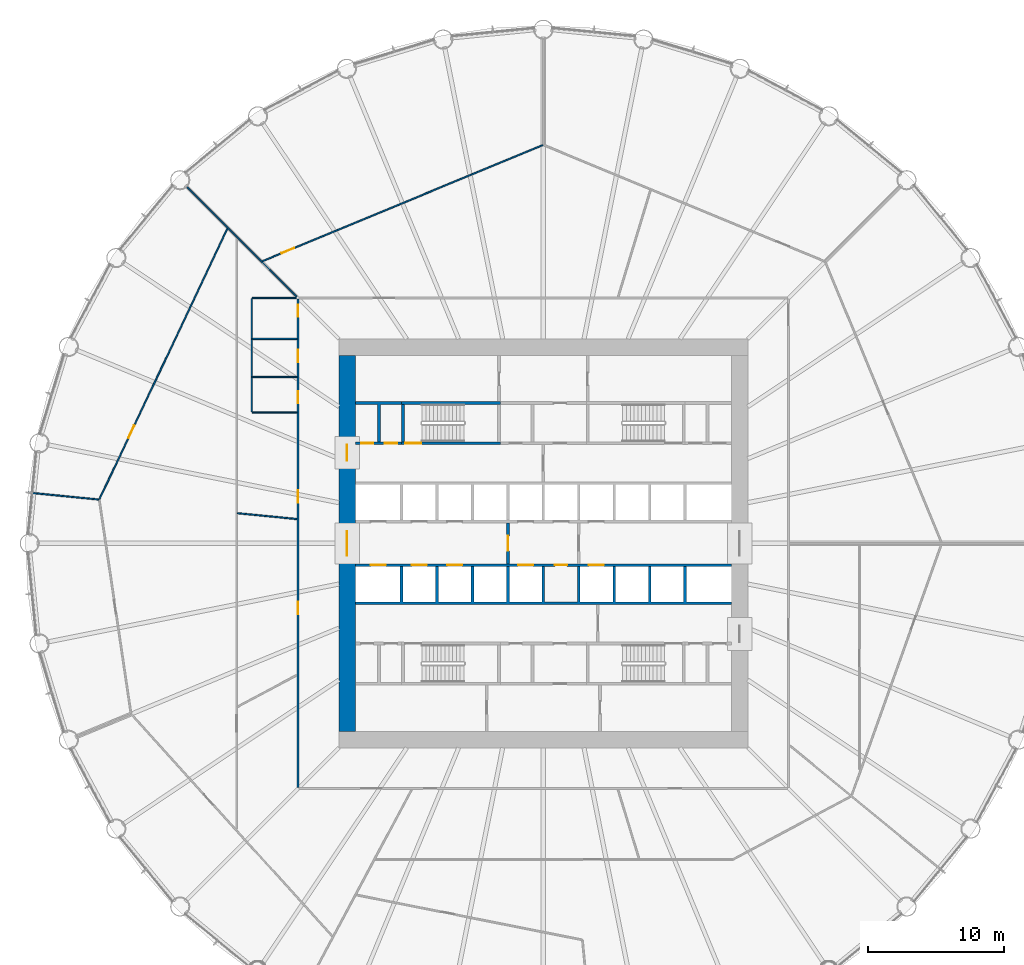
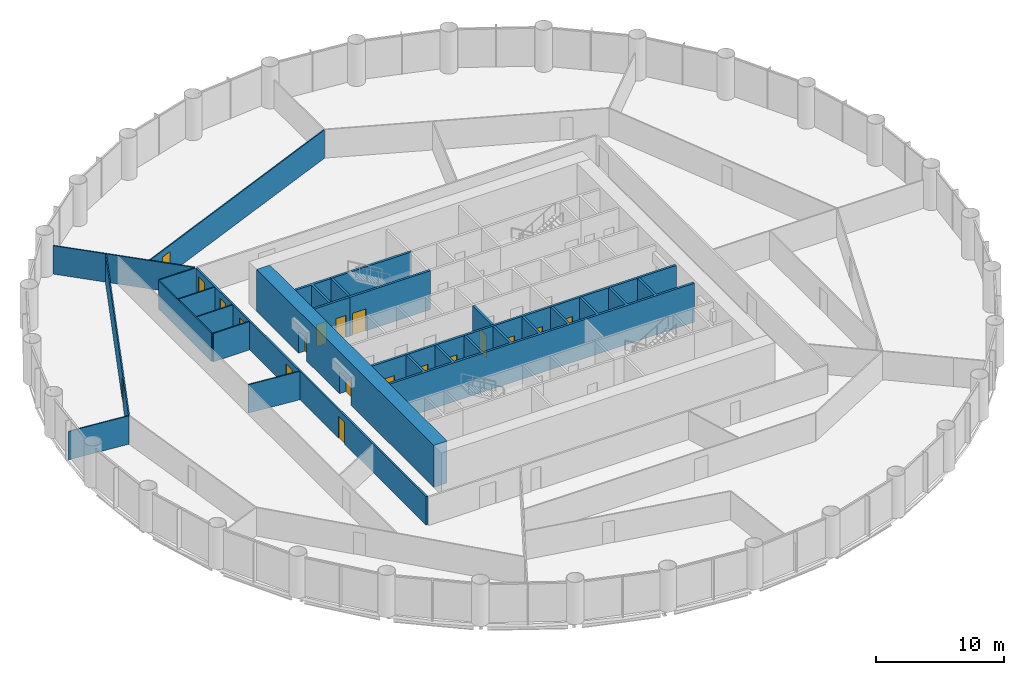
# One storey, part 12 of 15: 20 walls, 19 doors, 19 openings.
"""IFC4 building model written with IfcOpenShell, lengths in metres."""

import ifcopenshell
import ifcopenshell.guid

model = None  # the IFC model being written
_history = None  # IfcOwnerHistory: only IFC2X3 demands one
_inside = {}  # id of a spatial element -> (the spatial element, [elements in it])
_under = {}  # id of a project, library or spatial element -> (it, [spatial elements below it])
_declared = {}  # id of a project -> (the project, [libraries it declares])
_typed = {}  # id of a type object -> (the type object, [elements of that type])
_made_of = {}  # id of a material, layer set ... -> (it, [elements and type objects made of it])


def new_model(schema):
    """Start an empty IFC model of exactly this schema.

    Asked for "IFC4X3", IfcOpenShell would pick the latest addendum, in which some entities
    have other attributes; the version numbers below select the first issue.
    IFC2X3 requires an IfcOwnerHistory on every rooted entity: one is made here for all.
    """
    global model, _history
    if schema == "IFC4X3":
        model = ifcopenshell.file(schema_version=(4, 3, 0, 0))
    else:
        model = ifcopenshell.file(schema=schema)
    _inside.clear()
    _under.clear()
    _declared.clear()
    _typed.clear()
    _made_of.clear()
    _history = None
    if model.schema == "IFC2X3":
        org = make("IfcOrganization", Name="unknown")
        user = make(
            "IfcPersonAndOrganization",
            ThePerson=make("IfcPerson", FamilyName="unknown"),
            TheOrganization=org,
        )
        app = make(
            "IfcApplication",
            ApplicationDeveloper=org,
            Version="unknown",
            ApplicationFullName="unknown",
            ApplicationIdentifier="unknown",
        )
        _history = make(
            "IfcOwnerHistory",
            OwningUser=user,
            OwningApplication=app,
            ChangeAction="ADDED",
            CreationDate=0,
        )
    return model


def make(cls, **values):
    """One entity of the class cls with the attributes given. An attribute that is None is left unset."""
    return model.create_entity(
        cls, **{name: value for name, value in values.items() if value is not None}
    )


def rooted(cls, **values):
    """An entity with a GlobalId (a new one), such as an element, a storey or a relation."""
    return make(cls, GlobalId=ifcopenshell.guid.new(), OwnerHistory=_history, **values)


def si_unit(unit_type, name, prefix=None):
    """IfcSIUnit, for example si_unit("LENGTHUNIT", "METRE", prefix="MILLI")."""
    return make("IfcSIUnit", UnitType=unit_type, Prefix=prefix, Name=name)


def assignment(units):
    """IfcUnitAssignment: the units of a project."""
    return None if units is None else make("IfcUnitAssignment", Units=units)


def point(xyz):
    """IfcCartesianPoint."""
    return None if xyz is None else make("IfcCartesianPoint", Coordinates=xyz)


def direction(xyz):
    """IfcDirection."""
    return None if xyz is None else make("IfcDirection", DirectionRatios=xyz)


def frame(location, z_axis=None, x_axis=None):
    """IfcAxis2Placement3D, a coordinate frame: its origin and axes. An axis left out is left unset."""
    return make(
        "IfcAxis2Placement3D",
        Location=point(location),
        Axis=direction(z_axis),
        RefDirection=direction(x_axis),
    )


def frame_2d(location, x_axis=None):
    """IfcAxis2Placement2D, a coordinate frame in the plane: its origin and x axis."""
    return make(
        "IfcAxis2Placement2D", Location=point(location), RefDirection=direction(x_axis)
    )


def origin():
    """The frame at (0, 0, 0) with its axes left unset."""
    return frame((0.0, 0.0, 0.0))


def place(relative_to, where):
    """IfcLocalPlacement: puts the frame where relative to a parent placement (None: the world)."""
    return make(
        "IfcLocalPlacement", PlacementRelTo=relative_to, RelativePlacement=where
    )


def context(
    kind, dimensions, precision=None, world=None, true_north=None, identifier=None
):
    """IfcGeometricRepresentationContext, for example the 3D "Model" context."""
    return make(
        "IfcGeometricRepresentationContext",
        ContextIdentifier=identifier,
        ContextType=kind,
        CoordinateSpaceDimension=dimensions,
        Precision=precision,
        WorldCoordinateSystem=world,
        TrueNorth=true_north,
    )


def subcontext(parent, identifier, kind, view, scale=None):
    """IfcGeometricRepresentationSubContext, for example "Body" below "Model"."""
    return make(
        "IfcGeometricRepresentationSubContext",
        ContextIdentifier=identifier,
        ContextType=kind,
        ParentContext=parent,
        TargetScale=scale,
        TargetView=view,
    )


def project(units=None, contexts=None):
    """IfcProject with its units and contexts."""
    return rooted(
        "IfcProject",
        Name="project",
        RepresentationContexts=contexts,
        UnitsInContext=assignment(units),
    )


def spatial(cls, under=None, at=None, **own):
    """A site, building, storey or space (cls), placed at a placement, below another one or the project."""
    s = rooted(cls, ObjectPlacement=at, **own)
    if under is not None:
        _under.setdefault(under.id(), (under, []))[1].append(s)
    return s


def polyline(points):
    """IfcPolyline through the points."""
    return make("IfcPolyline", Points=[point(p) for p in points])


def profile(cls, at=None, kind="AREA", **sizes):
    """A parametric profile (cls). Its sizes go by their IFC names, for example OverallWidth=200.0."""
    return make(cls, ProfileType=kind, Position=at, **sizes)


def rectangle(**sizes):
    """IfcRectangleProfileDef."""
    return profile("IfcRectangleProfileDef", **sizes)


def outline(outer, holes=None, kind="AREA"):
    """IfcArbitraryClosedProfileDef: a profile drawn as a closed curve; with holes, ...WithVoids."""
    if holes is None:
        return make("IfcArbitraryClosedProfileDef", ProfileType=kind, OuterCurve=outer)
    return make(
        "IfcArbitraryProfileDefWithVoids",
        ProfileType=kind,
        OuterCurve=outer,
        InnerCurves=holes,
    )


def extrude(swept, where, along, depth):
    """IfcExtrudedAreaSolid: the profile swept, set in the frame where, extruded along a direction by depth."""
    return make(
        "IfcExtrudedAreaSolid",
        SweptArea=swept,
        Position=where,
        ExtrudedDirection=direction(along),
        Depth=depth,
    )


def shape(context_of_items, identifier, shape_type, items):
    """IfcShapeRepresentation: the items that make up one representation, for example the "Body"."""
    return make(
        "IfcShapeRepresentation",
        ContextOfItems=context_of_items,
        RepresentationIdentifier=identifier,
        RepresentationType=shape_type,
        Items=items,
    )


def material(Name=None, Category=None):
    """IfcMaterial."""
    return make("IfcMaterial", Name=Name, Category=Category)


def layer(
    of_material, thickness, ventilated=None, Name=None, Category=None, Priority=None
):
    """IfcMaterialLayer: one layer of a wall or slab, of a material (None: an air gap)."""
    return make(
        "IfcMaterialLayer",
        Material=of_material,
        LayerThickness=thickness,
        IsVentilated=ventilated,
        Name=Name,
        Category=Category,
        Priority=Priority,
    )


def layer_set(layers, Name=None):
    """IfcMaterialLayerSet."""
    return make("IfcMaterialLayerSet", MaterialLayers=layers, LayerSetName=Name)


def made_of(thing, what):
    """Note that an element or type object is made of a material, layer set ...; save() writes the relation."""
    if what is not None:
        _made_of.setdefault(what.id(), (what, []))[1].append(thing)
    return thing


def type_object(cls, material=None, **own):
    """A type object (cls), such as IfcWallType, which elements share."""
    return made_of(rooted(cls, **own), material)


def element(
    cls,
    number,
    at=None,
    inside=None,
    cuts=None,
    type_object=None,
    material=None,
    context=None,
    identifier="Body",
    shape_type=None,
    held_by="IfcProductDefinitionShape",
    body=None,
    shapes=None,
    **own,
):
    """One element of the class cls, such as IfcWall. Its Tag is "e" and its number.

    at: its placement. inside: the storey or other place that contains it. cuts: it is an
    opening in that element (IfcRelVoidsElement). A single representation is given by context,
    identifier, shape_type and body (its items); several are given by shapes. held_by: the class
    of the entity that holds the representations. save() writes the other relations.
    """
    e = rooted(cls, Tag="e%d" % number, ObjectPlacement=at, **own)
    if body is not None:
        shapes = [shape(context, identifier, shape_type, body)]
    if shapes is not None:
        e.Representation = make(held_by, Representations=shapes)
    if inside is not None:
        _inside.setdefault(inside.id(), (inside, []))[1].append(e)
    if cuts is not None:
        rooted(
            "IfcRelVoidsElement", RelatingBuildingElement=cuts, RelatedOpeningElement=e
        )
    if type_object is not None:
        _typed.setdefault(type_object.id(), (type_object, []))[1].append(e)
    return made_of(e, material)


def fill(opening, filler):
    """IfcRelFillsElement: the door or window that sits in an opening."""
    return rooted(
        "IfcRelFillsElement",
        RelatingOpeningElement=opening,
        RelatedBuildingElement=filler,
    )


def aggregate(whole, parts):
    """IfcRelAggregates: a whole, such as a stair, and the parts it consists of."""
    return rooted("IfcRelAggregates", RelatingObject=whole, RelatedObjects=parts)


def save(model, path):
    """Write the relations noted so far, then the file.

    IfcRelAggregates (storeys below a building ...), IfcRelContainedInSpatialStructure (elements
    in a storey), IfcRelDefinesByType, IfcRelAssociatesMaterial and IfcRelDeclares: one each for
    every whole, place, type object, material and project.
    """
    for whole, parts in _under.values():
        aggregate(whole, parts)
    for where, things in _inside.values():
        rooted(
            "IfcRelContainedInSpatialStructure",
            RelatedElements=things,
            RelatingStructure=where,
        )
    for kind, things in _typed.values():
        rooted("IfcRelDefinesByType", RelatedObjects=things, RelatingType=kind)
    for what, things in _made_of.values():
        rooted("IfcRelAssociatesMaterial", RelatedObjects=things, RelatingMaterial=what)
    for by, libraries in _declared.values():
        rooted("IfcRelDeclares", RelatingContext=by, RelatedDefinitions=libraries)
    model.write(path)


model = new_model("IFC4")

# Units and contexts
model_context = context("Model", 3, precision=1e-05, world=origin(), true_north=direction((0.0, 1.0)))
body_context = subcontext(model_context, "Body", "Model", "MODEL_VIEW")
ifc_project = project(units=[si_unit("LENGTHUNIT", "METRE"), si_unit("AREAUNIT", "SQUARE_METRE"), si_unit("VOLUMEUNIT", "CUBIC_METRE"), si_unit("PLANEANGLEUNIT", "RADIAN"), si_unit("MASSUNIT", "GRAM", prefix="KILO")], contexts=[model_context])

# Site, building, storey
site_placement = place(None, origin())
site = spatial("IfcSite", under=ifc_project, at=site_placement, CompositionType="ELEMENT")
building_placement = place(site_placement, origin())
building = spatial("IfcBuilding", under=site, at=building_placement, Name="Corvane Civic Tower", CompositionType="ELEMENT")
storey_placement = place(building_placement, frame((0.0, 0.0, 61.0)))
storey = spatial("IfcBuildingStorey", under=building, at=storey_placement, Name="L13", CompositionType="ELEMENT", Elevation=61.0)

# Wall, openings, doors
ifc_material_1 = material(Name="Concrete C80/95", Category="concrete")
ifc_layer_1 = layer(ifc_material_1, 1.199951171875)
ifc_layer_set_1 = layer_set([ifc_layer_1], Name="Concrete C80/95")
wall_type_1 = type_object("IfcWallType", Name="CORE WALL 1200 C80/95", PredefinedType="SHEAR", material=ifc_layer_set_1)
wall_1_placement = place(storey_placement, frame((-14.39990234375, -13.800048828125, 0.0), z_axis=(0.0, 0.0, 1.0), x_axis=(0.0, 1.0, 0.0)))
wall_1 = element("IfcWall", 1, at=wall_1_placement, inside=storey, type_object=wall_type_1, Name="W-L13-core-W", PredefinedType="SHEAR", context=body_context, shape_type="SweptSolid", body=[
    extrude(rectangle(XDim=27.60009765625, YDim=1.199951171875, at=frame_2d((13.800048828125, 0.0))), origin(), (0.0, 0.0, 1.0), 4.0),
])
opening_1_placement = place(wall_1_placement, frame((12.89990234375, 0.0, 0.0)))
opening_1 = element("IfcOpeningElement", 2, at=opening_1_placement, cuts=wall_1, Name="Opening L13.C28", PredefinedType="OPENING", context=body_context, shape_type="SweptSolid", body=[
    extrude(rectangle(XDim=1.800048828125, YDim=2.10009765625, at=frame_2d((0.89990234375, 1.050048828125))), frame((0.0, 0.60986328125, 0.0), z_axis=(0.0, -1.0, 0.0), x_axis=(1.0, 0.0, 0.0)), (0.0, 0.0, 1.0), 1.219970703125),
])
opening_2_placement = place(wall_1_placement, frame((19.85009765625, 0.0, 0.0)))
opening_2 = element("IfcOpeningElement", 3, at=opening_2_placement, cuts=wall_1, Name="Opening L13.C30", PredefinedType="OPENING", context=body_context, shape_type="SweptSolid", body=[
    extrude(rectangle(XDim=1.199951171875, YDim=2.10009765625, at=frame_2d((0.60009765625, 1.050048828125))), frame((0.0, 0.60986328125, 0.0), z_axis=(0.0, -1.0, 0.0), x_axis=(1.0, 0.0, 0.0)), (0.0, 0.0, 1.0), 1.219970703125),
])
ifc_material_2 = material(Name="Steel fire door leaf", Category="steel")
door_type_1 = type_object("IfcDoorType", Name="CR-DOOR-CORE-1800", OperationType="DOUBLE_DOOR_SINGLE_SWING", PredefinedType="DOOR", material=ifc_material_2)
door_1_placement = place(opening_1_placement, origin())
door_1 = element("IfcDoor", 4, at=door_1_placement, inside=storey, type_object=door_type_1, Name="L13 door", OperationType="DOUBLE_DOOR_SINGLE_SWING", OverallHeight=2.10009765625, OverallWidth=1.800048828125, PredefinedType="DOOR", context=body_context, shape_type="SweptSolid", body=[
    extrude(rectangle(XDim=1.800048828125, YDim=2.10009765625, at=frame_2d((0.89990234375, 1.050048828125))), frame((0.0, 0.02490234375, 0.0), z_axis=(0.0, -1.0, 0.0), x_axis=(1.0, 0.0, 0.0)), (0.0, 0.0, 1.0), 0.050048828125),
])
fill(opening_1, door_1)
door_2_placement = place(opening_2_placement, origin())
door_2 = element("IfcDoor", 5, at=door_2_placement, inside=storey, type_object=door_type_1, Name="L13 door", OperationType="DOUBLE_DOOR_SINGLE_SWING", OverallHeight=2.10009765625, OverallWidth=1.199951171875, PredefinedType="DOOR", context=body_context, shape_type="SweptSolid", body=[
    extrude(rectangle(XDim=1.199951171875, YDim=2.10009765625, at=frame_2d((0.60009765625, 1.050048828125))), frame((0.0, 0.02490234375, 0.0), z_axis=(0.0, -1.0, 0.0), x_axis=(1.0, 0.0, 0.0)), (0.0, 0.0, 1.0), 0.050048828125),
])
fill(opening_2, door_2)

ifc_material_3 = material(Name="Concrete C30/37", Category="concrete")
ifc_layer_2 = layer(ifc_material_3, 0.199951171875)
ifc_layer_set_2 = layer_set([ifc_layer_2], Name="Concrete C30/37")
wall_type_2 = type_object("IfcWallType", Name="CR-WALL-200", PredefinedType="PARTITIONING", material=ifc_layer_set_2)
wall_2_placement = place(storey_placement, frame((-13.800048828125, -1.60009765625, 0.0), z_axis=(0.0, 0.0, 1.0), x_axis=(1.0, 0.0, 0.0)))
wall_2 = element("IfcWall", 6, at=wall_2_placement, inside=storey, type_object=wall_type_2, Name="L13 lift shaft wall", PredefinedType="PARTITIONING", context=body_context, shape_type="SweptSolid", body=[
    extrude(rectangle(XDim=27.60009765625, YDim=0.199951171875, at=frame_2d((13.800048828125, 0.0))), origin(), (0.0, 0.0, 1.0), 3.699951171875),
])
opening_3_placement = place(wall_2_placement, frame((1.14990234375, 0.0, 0.0)))
opening_3 = element("IfcOpeningElement", 7, at=opening_3_placement, cuts=wall_2, Name="Opening LD", PredefinedType="OPENING", context=body_context, shape_type="SweptSolid", body=[
    extrude(rectangle(XDim=1.10009765625, YDim=2.10009765625, at=frame_2d((0.550048828125, 1.050048828125))), frame((0.0, 0.10986328125, 0.0), z_axis=(0.0, -1.0, 0.0), x_axis=(1.0, 0.0, 0.0)), (0.0, 0.0, 1.0), 0.219970703125),
])
opening_4_placement = place(wall_2_placement, frame((4.14990234375, 0.0, 0.0)))
opening_4 = element("IfcOpeningElement", 8, at=opening_4_placement, cuts=wall_2, Name="Opening LD", PredefinedType="OPENING", context=body_context, shape_type="SweptSolid", body=[
    extrude(rectangle(XDim=1.10009765625, YDim=2.10009765625, at=frame_2d((0.550048828125, 1.050048828125))), frame((0.0, 0.10986328125, 0.0), z_axis=(0.0, -1.0, 0.0), x_axis=(1.0, 0.0, 0.0)), (0.0, 0.0, 1.0), 0.219970703125),
])
opening_5_placement = place(wall_2_placement, frame((6.75, 0.0, 0.0)))
opening_5 = element("IfcOpeningElement", 9, at=opening_5_placement, cuts=wall_2, Name="Opening LD", PredefinedType="OPENING", context=body_context, shape_type="SweptSolid", body=[
    extrude(rectangle(XDim=1.10009765625, YDim=2.10009765625, at=frame_2d((0.550048828125, 1.050048828125))), frame((0.0, 0.10986328125, 0.0), z_axis=(0.0, -1.0, 0.0), x_axis=(1.0, 0.0, 0.0)), (0.0, 0.0, 1.0), 0.219970703125),
])
opening_6_placement = place(wall_2_placement, frame((11.949951171875, 0.0, 0.0)))
opening_6 = element("IfcOpeningElement", 10, at=opening_6_placement, cuts=wall_2, Name="Opening LD", PredefinedType="OPENING", context=body_context, shape_type="SweptSolid", body=[
    extrude(rectangle(XDim=1.10009765625, YDim=2.10009765625, at=frame_2d((0.550048828125, 1.050048828125))), frame((0.0, 0.10986328125, 0.0), z_axis=(0.0, -1.0, 0.0), x_axis=(1.0, 0.0, 0.0)), (0.0, 0.0, 1.0), 0.219970703125),
])
opening_7_placement = place(wall_2_placement, frame((14.64990234375, 0.0, 0.0)))
opening_7 = element("IfcOpeningElement", 11, at=opening_7_placement, cuts=wall_2, Name="Opening L13.C01", PredefinedType="OPENING", context=body_context, shape_type="SweptSolid", body=[
    extrude(rectangle(XDim=0.89990234375, YDim=2.10009765625, at=frame_2d((0.449951171875, 1.050048828125))), frame((0.0, 0.10986328125, 0.0), z_axis=(0.0, -1.0, 0.0), x_axis=(1.0, 0.0, 0.0)), (0.0, 0.0, 1.0), 0.219970703125),
])
opening_8_placement = place(wall_2_placement, frame((17.14990234375, 0.0, 0.0)))
opening_8 = element("IfcOpeningElement", 12, at=opening_8_placement, cuts=wall_2, Name="Opening LD", PredefinedType="OPENING", context=body_context, shape_type="SweptSolid", body=[
    extrude(rectangle(XDim=1.10009765625, YDim=2.10009765625, at=frame_2d((0.550048828125, 1.050048828125))), frame((0.0, 0.10986328125, 0.0), z_axis=(0.0, -1.0, 0.0), x_axis=(1.0, 0.0, 0.0)), (0.0, 0.0, 1.0), 0.219970703125),
])
ifc_material_4 = material(Name="Steel fire door leaf", Category="steel")
door_type_2 = type_object("IfcDoorType", Name="CR-DOOR-900", OperationType="SINGLE_SWING_LEFT", PredefinedType="DOOR", material=ifc_material_4)
door_3_placement = place(opening_7_placement, origin())
door_3 = element("IfcDoor", 13, at=door_3_placement, inside=storey, type_object=door_type_2, Name="L13 door", OperationType="SINGLE_SWING_LEFT", OverallHeight=2.10009765625, OverallWidth=0.89990234375, PredefinedType="DOOR", context=body_context, shape_type="SweptSolid", body=[
    extrude(rectangle(XDim=0.89990234375, YDim=2.10009765625, at=frame_2d((0.449951171875, 1.050048828125))), frame((0.0, 0.02490234375, 0.0), z_axis=(0.0, -1.0, 0.0), x_axis=(1.0, 0.0, 0.0)), (0.0, 0.0, 1.0), 0.050048828125),
])
fill(opening_7, door_3)
ifc_material_5 = material(Name="Stainless steel 316 door leaves", Category="steel")
door_type_3 = type_object("IfcDoorType", Name="LD", OperationType="DOUBLE_DOOR_SLIDING", PredefinedType="DOOR", material=ifc_material_5)
door_4_placement = place(opening_3_placement, origin())
door_4 = element("IfcDoor", 14, at=door_4_placement, inside=storey, type_object=door_type_3, Name="L13 landing door", OperationType="DOUBLE_DOOR_SLIDING", OverallHeight=2.10009765625, OverallWidth=1.10009765625, PredefinedType="DOOR", context=body_context, shape_type="SweptSolid", body=[
    extrude(rectangle(XDim=1.10009765625, YDim=2.10009765625, at=frame_2d((0.550048828125, 1.050048828125))), frame((0.0, 0.02490234375, 0.0), z_axis=(0.0, -1.0, 0.0), x_axis=(1.0, 0.0, 0.0)), (0.0, 0.0, 1.0), 0.050048828125),
])
fill(opening_3, door_4)
door_5_placement = place(opening_4_placement, origin())
door_5 = element("IfcDoor", 15, at=door_5_placement, inside=storey, type_object=door_type_3, Name="L13 landing door", OperationType="DOUBLE_DOOR_SLIDING", OverallHeight=2.10009765625, OverallWidth=1.10009765625, PredefinedType="DOOR", context=body_context, shape_type="SweptSolid", body=[
    extrude(rectangle(XDim=1.10009765625, YDim=2.10009765625, at=frame_2d((0.550048828125, 1.050048828125))), frame((0.0, 0.02490234375, 0.0), z_axis=(0.0, -1.0, 0.0), x_axis=(1.0, 0.0, 0.0)), (0.0, 0.0, 1.0), 0.050048828125),
])
fill(opening_4, door_5)
door_6_placement = place(opening_5_placement, origin())
door_6 = element("IfcDoor", 16, at=door_6_placement, inside=storey, type_object=door_type_3, Name="L13 landing door", OperationType="DOUBLE_DOOR_SLIDING", OverallHeight=2.10009765625, OverallWidth=1.10009765625, PredefinedType="DOOR", context=body_context, shape_type="SweptSolid", body=[
    extrude(rectangle(XDim=1.10009765625, YDim=2.10009765625, at=frame_2d((0.550048828125, 1.050048828125))), frame((0.0, 0.02490234375, 0.0), z_axis=(0.0, -1.0, 0.0), x_axis=(1.0, 0.0, 0.0)), (0.0, 0.0, 1.0), 0.050048828125),
])
fill(opening_5, door_6)
door_7_placement = place(opening_6_placement, origin())
door_7 = element("IfcDoor", 17, at=door_7_placement, inside=storey, type_object=door_type_3, Name="L13 landing door", OperationType="DOUBLE_DOOR_SLIDING", OverallHeight=2.10009765625, OverallWidth=1.10009765625, PredefinedType="DOOR", context=body_context, shape_type="SweptSolid", body=[
    extrude(rectangle(XDim=1.10009765625, YDim=2.10009765625, at=frame_2d((0.550048828125, 1.050048828125))), frame((0.0, 0.02490234375, 0.0), z_axis=(0.0, -1.0, 0.0), x_axis=(1.0, 0.0, 0.0)), (0.0, 0.0, 1.0), 0.050048828125),
])
fill(opening_6, door_7)
door_8_placement = place(opening_8_placement, origin())
door_8 = element("IfcDoor", 18, at=door_8_placement, inside=storey, type_object=door_type_3, Name="L13 landing door", OperationType="DOUBLE_DOOR_SLIDING", OverallHeight=2.10009765625, OverallWidth=1.10009765625, PredefinedType="DOOR", context=body_context, shape_type="SweptSolid", body=[
    extrude(rectangle(XDim=1.10009765625, YDim=2.10009765625, at=frame_2d((0.550048828125, 1.050048828125))), frame((0.0, 0.02490234375, 0.0), z_axis=(0.0, -1.0, 0.0), x_axis=(1.0, 0.0, 0.0)), (0.0, 0.0, 1.0), 0.050048828125),
])
fill(opening_8, door_8)

wall_3_placement = place(storey_placement, frame((-13.800048828125, 7.35009765625, 0.0), z_axis=(0.0, 0.0, 1.0), x_axis=(1.0, 0.0, 0.0)))
wall_3 = element("IfcWall", 19, at=wall_3_placement, inside=storey, type_object=wall_type_2, Name="L13 core partition wall", PredefinedType="PARTITIONING", context=body_context, shape_type="SweptSolid", body=[
    extrude(rectangle(XDim=3.400146484375, YDim=0.199951171875, at=frame_2d((1.7001953125, 0.0))), origin(), (0.0, 0.0, 1.0), 3.699951171875),
])
opening_9_placement = place(wall_3_placement, frame((0.425048828125, 0.0, 0.0)))
opening_9 = element("IfcOpeningElement", 20, at=opening_9_placement, cuts=wall_3, Name="Opening L13.C12", PredefinedType="OPENING", context=body_context, shape_type="SweptSolid", body=[
    extrude(rectangle(XDim=0.89990234375, YDim=2.10009765625, at=frame_2d((0.449951171875, 1.050048828125))), frame((0.0, 0.10986328125, 0.0), z_axis=(0.0, -1.0, 0.0), x_axis=(1.0, 0.0, 0.0)), (0.0, 0.0, 1.0), 0.219970703125),
])
opening_10_placement = place(wall_3_placement, frame((2.175048828125, 0.0, 0.0)))
opening_10 = element("IfcOpeningElement", 21, at=opening_10_placement, cuts=wall_3, Name="Opening L13.C13", PredefinedType="OPENING", context=body_context, shape_type="SweptSolid", body=[
    extrude(rectangle(XDim=0.89990234375, YDim=2.10009765625, at=frame_2d((0.449951171875, 1.050048828125))), frame((0.0, 0.10986328125, 0.0), z_axis=(0.0, -1.0, 0.0), x_axis=(1.0, 0.0, 0.0)), (0.0, 0.0, 1.0), 0.219970703125),
])
door_9_placement = place(opening_9_placement, origin())
door_9 = element("IfcDoor", 22, at=door_9_placement, inside=storey, type_object=door_type_2, Name="L13 door", OperationType="SINGLE_SWING_LEFT", OverallHeight=2.10009765625, OverallWidth=0.89990234375, PredefinedType="DOOR", context=body_context, shape_type="SweptSolid", body=[
    extrude(rectangle(XDim=0.89990234375, YDim=2.10009765625, at=frame_2d((0.449951171875, 1.050048828125))), frame((0.0, 0.02490234375, 0.0), z_axis=(0.0, -1.0, 0.0), x_axis=(1.0, 0.0, 0.0)), (0.0, 0.0, 1.0), 0.050048828125),
])
fill(opening_9, door_9)
door_10_placement = place(opening_10_placement, origin())
door_10 = element("IfcDoor", 23, at=door_10_placement, inside=storey, type_object=door_type_2, Name="L13 door", OperationType="SINGLE_SWING_LEFT", OverallHeight=2.10009765625, OverallWidth=0.89990234375, PredefinedType="DOOR", context=body_context, shape_type="SweptSolid", body=[
    extrude(rectangle(XDim=0.89990234375, YDim=2.10009765625, at=frame_2d((0.449951171875, 1.050048828125))), frame((0.0, 0.02490234375, 0.0), z_axis=(0.0, -1.0, 0.0), x_axis=(1.0, 0.0, 0.0)), (0.0, 0.0, 1.0), 0.050048828125),
])
fill(opening_10, door_10)

# Wall, opening, door
wall_4_placement = place(storey_placement, frame((-2.60009765625, -1.5, 0.0), z_axis=(0.0, 0.0, 1.0), x_axis=(0.0, 1.0, 0.0)))
wall_4 = element("IfcWall", 24, at=wall_4_placement, inside=storey, type_object=wall_type_2, Name="L13 firefighting lobby wall", PredefinedType="PARTITIONING", context=body_context, shape_type="SweptSolid", body=[
    extrude(rectangle(XDim=3.0, YDim=0.199951171875, at=frame_2d((1.5, 0.0))), origin(), (0.0, 0.0, 1.0), 3.699951171875),
])
opening_11_placement = place(wall_4_placement, frame((0.949951171875, 0.0, 0.0)))
opening_11 = element("IfcOpeningElement", 25, at=opening_11_placement, cuts=wall_4, Name="Opening L13.C24", PredefinedType="OPENING", context=body_context, shape_type="SweptSolid", body=[
    extrude(rectangle(XDim=1.10009765625, YDim=2.10009765625, at=frame_2d((0.550048828125, 1.050048828125))), frame((0.0, 0.10986328125, 0.0), z_axis=(0.0, -1.0, 0.0), x_axis=(1.0, 0.0, 0.0)), (0.0, 0.0, 1.0), 0.219970703125),
])
ifc_material_6 = material(Name="Steel fire door leaf", Category="steel")
door_type_4 = type_object("IfcDoorType", Name="CR-DOOR-FFL-1100", OperationType="SINGLE_SWING_LEFT", PredefinedType="DOOR", material=ifc_material_6)
door_11_placement = place(opening_11_placement, origin())
door_11 = element("IfcDoor", 26, at=door_11_placement, inside=storey, type_object=door_type_4, Name="L13 lobby door", OperationType="SINGLE_SWING_LEFT", OverallHeight=2.10009765625, OverallWidth=1.10009765625, PredefinedType="DOOR", context=body_context, shape_type="SweptSolid", body=[
    extrude(rectangle(XDim=1.10009765625, YDim=2.10009765625, at=frame_2d((0.550048828125, 1.050048828125))), frame((0.0, 0.02490234375, 0.0), z_axis=(0.0, -1.0, 0.0), x_axis=(1.0, 0.0, 0.0)), (0.0, 0.0, 1.0), 0.050048828125),
])
fill(opening_11, door_11)

# Walls
wall_5_placement = place(storey_placement, origin())
element("IfcWall", 27, at=wall_5_placement, inside=storey, type_object=wall_type_2, Name="L13 core partition wall", PredefinedType="PARTITIONING", context=body_context, shape_type="SweptSolid", body=[
    extrude(outline(polyline([(-13.800048828125, 10.39990234375), (-10.39990234375, 10.39990234375), (-10.39990234375, 10.199951171875), (-11.949951171875, 10.199951171875), (-11.949951171875, 7.449951171875), (-12.14990234375, 7.449951171875), (-12.14990234375, 10.199951171875), (-13.800048828125, 10.199951171875), (-13.800048828125, 10.39990234375)])), origin(), (0.0, 0.0, 1.0), 3.699951171875),
])
wall_6_placement = place(storey_placement, origin())
element("IfcWall", 28, at=wall_6_placement, inside=storey, type_object=wall_type_2, Name="L13 core partition wall", PredefinedType="PARTITIONING", context=body_context, shape_type="SweptSolid", body=[
    extrude(outline(polyline([(-10.300048828125, -1.699951171875), (-10.300048828125, -4.300048828125), (-7.89990234375, -4.300048828125), (-7.89990234375, -1.699951171875), (-7.699951171875, -1.699951171875), (-7.699951171875, -4.300048828125), (-5.300048828125, -4.300048828125), (-5.300048828125, -1.699951171875), (-5.10009765625, -1.699951171875), (-5.10009765625, -4.300048828125), (-2.699951171875, -4.300048828125), (-2.699951171875, -1.699951171875), (-2.5, -1.699951171875), (-2.5, -4.300048828125), (-0.10009765625, -4.300048828125), (-0.10009765625, -1.699951171875), (0.10009765625, -1.699951171875), (0.10009765625, -4.300048828125), (2.5, -4.300048828125), (2.5, -1.699951171875), (2.699951171875, -1.699951171875), (2.699951171875, -4.300048828125), (5.10009765625, -4.300048828125), (5.10009765625, -1.699951171875), (5.300048828125, -1.699951171875), (5.300048828125, -4.300048828125), (7.699951171875, -4.300048828125), (7.699951171875, -1.699951171875), (7.89990234375, -1.699951171875), (7.89990234375, -4.300048828125), (10.300048828125, -4.300048828125), (10.300048828125, -1.699951171875), (10.5, -1.699951171875), (10.5, -4.300048828125), (13.800048828125, -4.300048828125), (13.800048828125, -4.5), (-13.800048828125, -4.5), (-13.800048828125, -4.300048828125), (-10.5, -4.300048828125), (-10.5, -1.699951171875), (-10.300048828125, -1.699951171875)])), origin(), (0.0, 0.0, 1.0), 3.699951171875),
])
ifc_material_7 = material(Name="Plasterboard")
ifc_layer_3 = layer(ifc_material_7, 0.10009765625)
ifc_layer_set_3 = layer_set([ifc_layer_3], Name="Plasterboard")
wall_type_3 = type_object("IfcWallType", Name="Partition 100 plasterboard on studs", PredefinedType="PARTITIONING", material=ifc_layer_set_3)
wall_7_placement = place(storey_placement, frame((-22.445068359375, 2.210693359375, 0.0), z_axis=(0.0, 0.0, 1.0), x_axis=(0.995184869418, -0.098015690998, 0.0)))
element("IfcWall", 29, at=wall_7_placement, inside=storey, type_object=wall_type_3, Name="Partition L13.021", PredefinedType="PARTITIONING", context=body_context, shape_type="SweptSolid", body=[
    extrude(rectangle(XDim=4.386474609375, YDim=0.10009765625, at=frame_2d((2.193359375, 0.0))), origin(), (0.0, 0.0, 1.0), 2.699951171875),
])
wall_8_placement = place(storey_placement, frame((-37.767333984375, 3.7197265625, 0.0), z_axis=(0.0, 0.0, 1.0), x_axis=(0.995187143371, -0.097992600074, 0.0)))
element("IfcWall", 30, at=wall_8_placement, inside=storey, type_object=wall_type_3, Name="Partition L13.022", PredefinedType="PARTITIONING", context=body_context, shape_type="SweptSolid", body=[
    extrude(rectangle(XDim=5.167236328125, YDim=0.10009765625, at=frame_2d((2.58349609375, 0.0))), origin(), (0.0, 0.0, 1.0), 2.699951171875),
])

# Wall, opening, door
wall_9_placement = place(storey_placement, frame((-32.571044921875, 3.2412109375, 0.0), z_axis=(0.0, 0.0, 1.0), x_axis=(0.427545185579, 0.903993979122, 0.0)))
wall_9 = element("IfcWall", 31, at=wall_9_placement, inside=storey, type_object=wall_type_3, Name="Partition L13.023", PredefinedType="PARTITIONING", context=body_context, shape_type="SweptSolid", body=[
    extrude(rectangle(XDim=21.9560546875, YDim=0.10009765625, at=frame_2d((10.97802734375, 0.0))), origin(), (0.0, 0.0, 1.0), 2.699951171875),
])
opening_12_placement = place(wall_9_placement, frame((4.97119140625, 0.0, 0.0)))
opening_12 = element("IfcOpeningElement", 32, at=opening_12_placement, cuts=wall_9, Name="Opening L13.010", PredefinedType="OPENING", context=body_context, shape_type="SweptSolid", body=[
    extrude(rectangle(XDim=1.0, YDim=2.10009765625, at=frame_2d((0.5, 1.050048828125))), frame((0.0, 0.06005859375, 0.0), z_axis=(0.0, -1.0, 0.0), x_axis=(1.0, 0.0, 0.0)), (0.0, 0.0, 1.0), 0.1201171875),
])
ifc_material_8 = material(Name="Timber", Category="wood")
door_type_5 = type_object("IfcDoorType", Name="Single door 1000", OperationType="NOTDEFINED", PredefinedType="DOOR", material=ifc_material_8)
door_12_placement = place(opening_12_placement, origin())
door_12 = element("IfcDoor", 33, at=door_12_placement, inside=storey, type_object=door_type_5, Name="Door L13.010", OperationType="SINGLE_SWING_LEFT", OverallHeight=2.10009765625, OverallWidth=1.0, PredefinedType="DOOR", context=body_context, shape_type="SweptSolid", body=[
    extrude(rectangle(XDim=1.0, YDim=2.10009765625, at=frame_2d((0.5, 1.050048828125))), frame((0.0, 0.02490234375, 0.0), z_axis=(0.0, -1.0, 0.0), x_axis=(1.0, 0.0, 0.0)), (0.0, 0.0, 1.0), 0.050048828125),
])
fill(opening_12, door_12)

# Walls
wall_10_placement = place(storey_placement, frame((-21.35009765625, 9.60009765625, 0.0), z_axis=(0.0, 0.0, 1.0), x_axis=(1.0, 0.0, 0.0)))
element("IfcWall", 34, at=wall_10_placement, inside=storey, type_object=wall_type_3, Name="Partition L13.024", PredefinedType="PARTITIONING", context=body_context, shape_type="SweptSolid", body=[
    extrude(rectangle(XDim=3.275146484375, YDim=0.10009765625, at=frame_2d((1.6376953125, 0.0))), origin(), (0.0, 0.0, 1.0), 2.699951171875),
])
wall_11_placement = place(storey_placement, frame((-21.39990234375, 9.64990234375, 0.0), z_axis=(0.0, 0.0, 1.0), x_axis=(0.0, 1.0, 0.0)))
element("IfcWall", 35, at=wall_11_placement, inside=storey, type_object=wall_type_3, Name="Partition L13.025", PredefinedType="PARTITIONING", context=body_context, shape_type="SweptSolid", body=[
    extrude(rectangle(XDim=8.300048828125, YDim=0.10009765625, at=frame_2d((4.14990234375, 0.0))), origin(), (0.0, 0.0, 1.0), 2.699951171875),
])
for number, where, z_axis, x_axis, name in (
    (36, (-21.35009765625, 12.199951171875, 0.0), (0.0, 0.0, 1.0), (1.0, 0.0, 0.0), "Partition L13.026"),
    (37, (-21.35009765625, 15.0, 0.0), (0.0, 0.0, 1.0), (1.0, 0.0, 0.0), "Partition L13.027"),
):
    element("IfcWall", number, at=place(storey_placement, frame(where, z_axis=z_axis, x_axis=x_axis)), inside=storey, type_object=wall_type_3, Name=name, PredefinedType="PARTITIONING", context=body_context, shape_type="SweptSolid", body=[
        extrude(rectangle(XDim=3.275146484375, YDim=0.10009765625, at=frame_2d((1.6376953125, 0.0))), origin(), (0.0, 0.0, 1.0), 2.699951171875),
    ])
wall_12_placement = place(storey_placement, frame((-21.35009765625, 18.0, 0.0), z_axis=(0.0, 0.0, 1.0), x_axis=(1.0, 0.0, 0.0)))
element("IfcWall", 38, at=wall_12_placement, inside=storey, type_object=wall_type_3, Name="Partition L13.028", PredefinedType="PARTITIONING", context=body_context, shape_type="SweptSolid", body=[
    extrude(rectangle(XDim=3.2294921875, YDim=0.10009765625, at=frame_2d((1.61474609375, 0.0))), origin(), (0.0, 0.0, 1.0), 2.699951171875),
])
wall_13_placement = place(storey_placement, frame((-26.156005859375, 26.156005859375, 0.0), z_axis=(0.0, 0.0, 1.0), x_axis=(0.707106781187, -0.707106781187, 0.0)))
element("IfcWall", 39, at=wall_13_placement, inside=storey, type_object=wall_type_3, Name="Partition L13.030", PredefinedType="PARTITIONING", context=body_context, shape_type="SweptSolid", body=[
    extrude(rectangle(XDim=11.41357421875, YDim=0.10009765625, at=frame_2d((5.706787109375, 0.0))), origin(), (0.0, 0.0, 1.0), 2.699951171875),
])

# Wall, opening, door
wall_14_placement = place(storey_placement, frame((-20.606689453125, 20.704345703125, 0.0), z_axis=(0.0, 0.0, 1.0), x_axis=(0.923879883692, 0.382682584539, 0.0)))
wall_14 = element("IfcWall", 40, at=wall_14_placement, inside=storey, type_object=wall_type_3, Name="Partition L13.033", PredefinedType="PARTITIONING", context=body_context, shape_type="SweptSolid", body=[
    extrude(rectangle(XDim=22.27099609375, YDim=0.10009765625, at=frame_2d((11.135498046875, 0.0))), origin(), (0.0, 0.0, 1.0), 2.699951171875),
])
opening_13_placement = place(wall_14_placement, frame((1.513427734375, 0.0, 0.0)))
opening_13 = element("IfcOpeningElement", 41, at=opening_13_placement, cuts=wall_14, Name="Opening L13.018", PredefinedType="OPENING", context=body_context, shape_type="SweptSolid", body=[
    extrude(rectangle(XDim=1.0, YDim=2.10009765625, at=frame_2d((0.5, 1.050048828125))), frame((0.0, 0.06005859375, 0.0), z_axis=(0.0, -1.0, 0.0), x_axis=(1.0, 0.0, 0.0)), (0.0, 0.0, 1.0), 0.1201171875),
])
door_13_placement = place(opening_13_placement, origin())
door_13 = element("IfcDoor", 42, at=door_13_placement, inside=storey, type_object=door_type_5, Name="Door L13.018", OperationType="SINGLE_SWING_LEFT", OverallHeight=2.10009765625, OverallWidth=1.0, PredefinedType="DOOR", context=body_context, shape_type="SweptSolid", body=[
    extrude(rectangle(XDim=1.0, YDim=2.10009765625, at=frame_2d((0.5, 1.050048828125))), frame((0.0, 0.02490234375, 0.0), z_axis=(0.0, -1.0, 0.0), x_axis=(1.0, 0.0, 0.0)), (0.0, 0.0, 1.0), 0.050048828125),
])
fill(opening_13, door_13)

ifc_material_9 = material(Name="Concrete C50/60", Category="concrete")
ifc_layer_4 = layer(ifc_material_9, 0.199951171875)
ifc_layer_set_4 = layer_set([ifc_layer_4], Name="Concrete C50/60")
wall_type_4 = type_object("IfcWallType", Name="ST-WALL-200", PredefinedType="SHEAR", material=ifc_layer_set_4)
wall_15_placement = place(storey_placement, frame((-10.39990234375, 7.35009765625, 0.0), z_axis=(0.0, 0.0, 1.0), x_axis=(1.0, 0.0, 0.0)))
wall_15 = element("IfcWall", 43, at=wall_15_placement, inside=storey, type_object=wall_type_4, Name="L13 stair enclosure wall", PredefinedType="SHEAR", context=body_context, shape_type="SweptSolid", body=[
    extrude(rectangle(XDim=7.25, YDim=0.199951171875, at=frame_2d((3.625, 0.0))), origin(), (0.0, 0.0, 1.0), 3.699951171875),
])
opening_14_placement = place(wall_15_placement, frame((0.25, 0.0, 0.0)))
opening_14 = element("IfcOpeningElement", 44, at=opening_14_placement, cuts=wall_15, Name="Opening L13.C21", PredefinedType="OPENING", context=body_context, shape_type="SweptSolid", body=[
    extrude(rectangle(XDim=1.199951171875, YDim=2.10009765625, at=frame_2d((0.60009765625, 1.050048828125))), frame((0.0, 0.10986328125, 0.0), z_axis=(0.0, -1.0, 0.0), x_axis=(1.0, 0.0, 0.0)), (0.0, 0.0, 1.0), 0.219970703125),
])
ifc_material_10 = material(Name="Steel fire door leaf", Category="steel")
door_type_6 = type_object("IfcDoorType", Name="ST-DOOR-1200", OperationType="SINGLE_SWING_RIGHT", PredefinedType="DOOR", material=ifc_material_10)
door_14_placement = place(opening_14_placement, origin())
door_14 = element("IfcDoor", 45, at=door_14_placement, inside=storey, type_object=door_type_6, Name="L13 stair door", OperationType="SINGLE_SWING_RIGHT", OverallHeight=2.10009765625, OverallWidth=1.199951171875, PredefinedType="DOOR", context=body_context, shape_type="SweptSolid", body=[
    extrude(rectangle(XDim=1.199951171875, YDim=2.10009765625, at=frame_2d((0.60009765625, 1.050048828125))), frame((0.0, 0.02490234375, 0.0), z_axis=(0.0, -1.0, 0.0), x_axis=(1.0, 0.0, 0.0)), (0.0, 0.0, 1.0), 0.050048828125),
])
fill(opening_14, door_14)

# Walls
wall_16_placement = place(storey_placement, origin())
element("IfcWall", 46, at=wall_16_placement, inside=storey, type_object=wall_type_4, Name="L13 stair enclosure wall", PredefinedType="SHEAR", context=body_context, shape_type="SweptSolid", body=[
    extrude(outline(polyline([(-3.14990234375, 10.199951171875), (-10.39990234375, 10.199951171875), (-10.39990234375, 10.39990234375), (-3.14990234375, 10.39990234375), (-3.14990234375, 10.199951171875)])), origin(), (0.0, 0.0, 1.0), 3.699951171875),
])
wall_17_placement = place(storey_placement, origin())
element("IfcWall", 47, at=wall_17_placement, inside=storey, type_object=wall_type_4, Name="L13 stair enclosure wall", PredefinedType="SHEAR", context=body_context, shape_type="SweptSolid", body=[
    extrude(outline(polyline([(-10.199951171875, 7.449951171875), (-10.39990234375, 7.449951171875), (-10.39990234375, 10.199951171875), (-10.199951171875, 10.199951171875), (-10.199951171875, 7.449951171875)])), origin(), (0.0, 0.0, 1.0), 3.699951171875),
])

# Wall, openings, doors
ifc_material_11 = material(Name="Plasterboard")
ifc_layer_5 = layer(ifc_material_11, 0.14990234375)
ifc_layer_set_5 = layer_set([ifc_layer_5], Name="Plasterboard")
wall_type_5 = type_object("IfcWallType", Name="Tenancy wall 150 EI 60", PredefinedType="PARTITIONING", material=ifc_layer_set_5)
wall_18_placement = place(storey_placement, frame((-18.0, -17.925048828125, 0.0), z_axis=(0.0, 0.0, 1.0), x_axis=(0.0, 1.0, 0.0)))
wall_18 = element("IfcWall", 48, at=wall_18_placement, inside=storey, type_object=wall_type_5, Name="Partition L13.013", PredefinedType="PARTITIONING", context=body_context, shape_type="SweptSolid", body=[
    extrude(rectangle(XDim=35.85009765625, YDim=0.14990234375, at=frame_2d((17.925048828125, 0.0))), origin(), (0.0, 0.0, 1.0), 2.699951171875),
])
opening_15_placement = place(wall_18_placement, frame((12.727294921875, 0.0, 0.0)))
opening_15 = element("IfcOpeningElement", 49, at=opening_15_placement, cuts=wall_18, Name="Opening L13.013", PredefinedType="OPENING", context=body_context, shape_type="SweptSolid", body=[
    extrude(rectangle(XDim=0.89990234375, YDim=2.10009765625, at=frame_2d((0.449951171875, 1.050048828125))), frame((0.0, 0.0849609375, 0.0), z_axis=(0.0, -1.0, 0.0), x_axis=(1.0, 0.0, 0.0)), (0.0, 0.0, 1.0), 0.169921875),
])
opening_16_placement = place(wall_18_placement, frame((20.914306640625, 0.0, 0.0)))
opening_16 = element("IfcOpeningElement", 50, at=opening_16_placement, cuts=wall_18, Name="Opening L13.014", PredefinedType="OPENING", context=body_context, shape_type="SweptSolid", body=[
    extrude(rectangle(XDim=0.89990234375, YDim=2.10009765625, at=frame_2d((0.449951171875, 1.050048828125))), frame((0.0, 0.0849609375, 0.0), z_axis=(0.0, -1.0, 0.0), x_axis=(1.0, 0.0, 0.0)), (0.0, 0.0, 1.0), 0.169921875),
])
opening_17_placement = place(wall_18_placement, frame((34.5361328125, 0.0, 0.0)))
opening_17 = element("IfcOpeningElement", 51, at=opening_17_placement, cuts=wall_18, Name="Opening L13.015", PredefinedType="OPENING", context=body_context, shape_type="SweptSolid", body=[
    extrude(rectangle(XDim=0.89990234375, YDim=2.10009765625, at=frame_2d((0.449951171875, 1.050048828125))), frame((0.0, 0.0849609375, 0.0), z_axis=(0.0, -1.0, 0.0), x_axis=(1.0, 0.0, 0.0)), (0.0, 0.0, 1.0), 0.169921875),
])
opening_18_placement = place(wall_18_placement, frame((31.21240234375, 0.0, 0.0)))
opening_18 = element("IfcOpeningElement", 52, at=opening_18_placement, cuts=wall_18, Name="Opening L13.016", PredefinedType="OPENING", context=body_context, shape_type="SweptSolid", body=[
    extrude(rectangle(XDim=0.89990234375, YDim=2.10009765625, at=frame_2d((0.449951171875, 1.050048828125))), frame((0.0, 0.0849609375, 0.0), z_axis=(0.0, -1.0, 0.0), x_axis=(1.0, 0.0, 0.0)), (0.0, 0.0, 1.0), 0.169921875),
])
opening_19_placement = place(wall_18_placement, frame((28.18798828125, 0.0, 0.0)))
opening_19 = element("IfcOpeningElement", 53, at=opening_19_placement, cuts=wall_18, Name="Opening L13.017", PredefinedType="OPENING", context=body_context, shape_type="SweptSolid", body=[
    extrude(rectangle(XDim=0.89990234375, YDim=2.10009765625, at=frame_2d((0.449951171875, 1.050048828125))), frame((0.0, 0.0849609375, 0.0), z_axis=(0.0, -1.0, 0.0), x_axis=(1.0, 0.0, 0.0)), (0.0, 0.0, 1.0), 0.169921875),
])
ifc_material_12 = material(Name="Steel and timber", Category="steel")
door_type_7 = type_object("IfcDoorType", Name="Fire door FD30S 900", OperationType="NOTDEFINED", PredefinedType="DOOR", material=ifc_material_12)
door_15_placement = place(opening_15_placement, origin())
door_15 = element("IfcDoor", 54, at=door_15_placement, inside=storey, type_object=door_type_7, Name="Door L13.013", OperationType="SINGLE_SWING_LEFT", OverallHeight=2.10009765625, OverallWidth=0.89990234375, PredefinedType="DOOR", context=body_context, shape_type="SweptSolid", body=[
    extrude(rectangle(XDim=0.89990234375, YDim=2.10009765625, at=frame_2d((0.449951171875, 1.050048828125))), frame((0.0, 0.02490234375, 0.0), z_axis=(0.0, -1.0, 0.0), x_axis=(1.0, 0.0, 0.0)), (0.0, 0.0, 1.0), 0.050048828125),
])
fill(opening_15, door_15)
door_16_placement = place(opening_16_placement, origin())
door_16 = element("IfcDoor", 55, at=door_16_placement, inside=storey, type_object=door_type_7, Name="Door L13.014", OperationType="SINGLE_SWING_RIGHT", OverallHeight=2.10009765625, OverallWidth=0.89990234375, PredefinedType="DOOR", context=body_context, shape_type="SweptSolid", body=[
    extrude(rectangle(XDim=0.89990234375, YDim=2.10009765625, at=frame_2d((0.449951171875, 1.050048828125))), frame((0.0, 0.02490234375, 0.0), z_axis=(0.0, -1.0, 0.0), x_axis=(1.0, 0.0, 0.0)), (0.0, 0.0, 1.0), 0.050048828125),
])
fill(opening_16, door_16)
door_17_placement = place(opening_17_placement, origin())
door_17 = element("IfcDoor", 56, at=door_17_placement, inside=storey, type_object=door_type_7, Name="Door L13.015", OperationType="SINGLE_SWING_LEFT", OverallHeight=2.10009765625, OverallWidth=0.89990234375, PredefinedType="DOOR", context=body_context, shape_type="SweptSolid", body=[
    extrude(rectangle(XDim=0.89990234375, YDim=2.10009765625, at=frame_2d((0.449951171875, 1.050048828125))), frame((0.0, 0.02490234375, 0.0), z_axis=(0.0, -1.0, 0.0), x_axis=(1.0, 0.0, 0.0)), (0.0, 0.0, 1.0), 0.050048828125),
])
fill(opening_17, door_17)
door_18_placement = place(opening_18_placement, origin())
door_18 = element("IfcDoor", 57, at=door_18_placement, inside=storey, type_object=door_type_7, Name="Door L13.016", OperationType="SINGLE_SWING_LEFT", OverallHeight=2.10009765625, OverallWidth=0.89990234375, PredefinedType="DOOR", context=body_context, shape_type="SweptSolid", body=[
    extrude(rectangle(XDim=0.89990234375, YDim=2.10009765625, at=frame_2d((0.449951171875, 1.050048828125))), frame((0.0, 0.02490234375, 0.0), z_axis=(0.0, -1.0, 0.0), x_axis=(1.0, 0.0, 0.0)), (0.0, 0.0, 1.0), 0.050048828125),
])
fill(opening_18, door_18)
door_19_placement = place(opening_19_placement, origin())
door_19 = element("IfcDoor", 58, at=door_19_placement, inside=storey, type_object=door_type_7, Name="Door L13.017", OperationType="SINGLE_SWING_RIGHT", OverallHeight=2.10009765625, OverallWidth=0.89990234375, PredefinedType="DOOR", context=body_context, shape_type="SweptSolid", body=[
    extrude(rectangle(XDim=0.89990234375, YDim=2.10009765625, at=frame_2d((0.449951171875, 1.050048828125))), frame((0.0, 0.02490234375, 0.0), z_axis=(0.0, -1.0, 0.0), x_axis=(1.0, 0.0, 0.0)), (0.0, 0.0, 1.0), 0.050048828125),
])
fill(opening_19, door_19)

save(model, "model.ifc")
